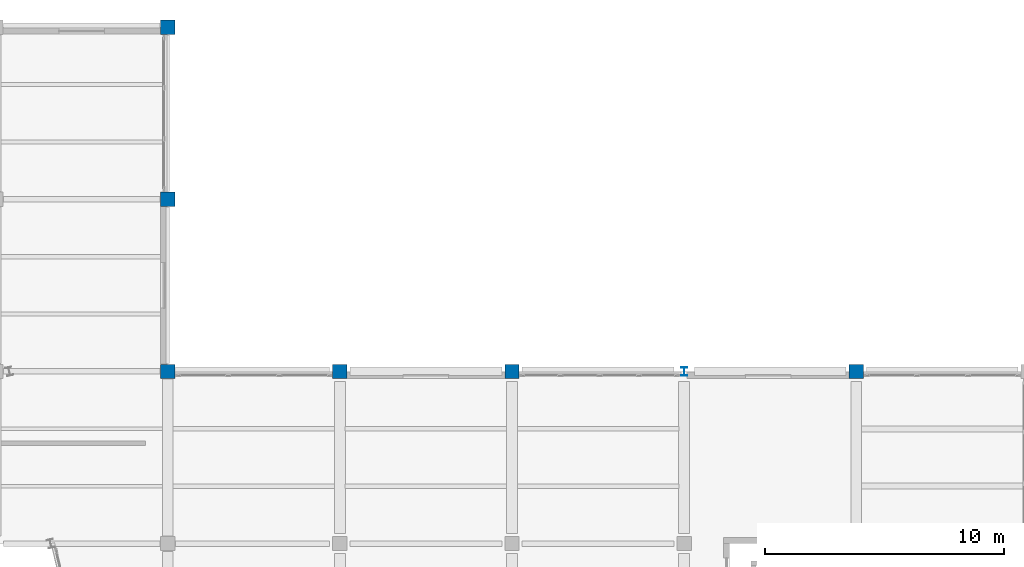
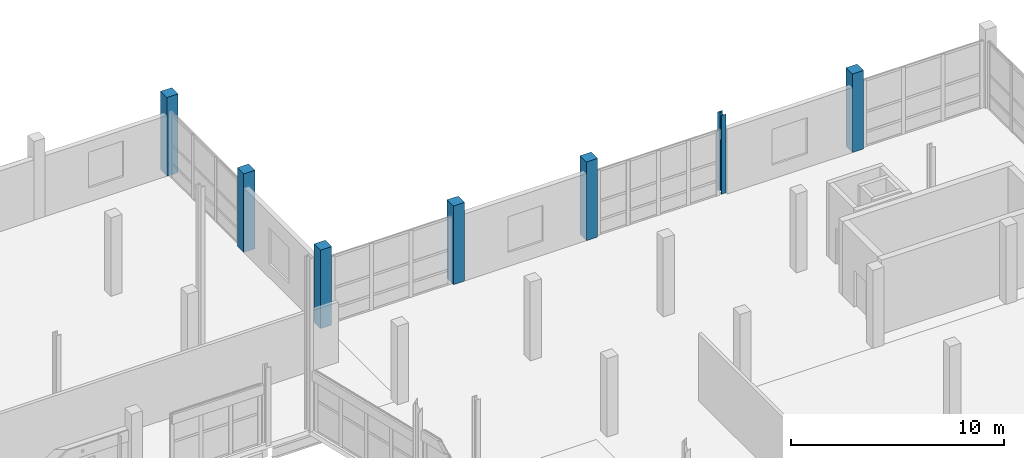
# One storey, part 24 of 123: 7 columns.
"""IFC4 building model written with IfcOpenShell, lengths in metres."""

from ifc_helpers import new_model, si_unit, direction, frame, origin, origin_2d, place, context, subcontext, project, spatial, rectangle, i_section, extrude, material, material_profile, profile_set, type_object, element, save


model = new_model("IFC4")

# Units and contexts
model_context = context("Model", 3, precision=1e-05, world=origin(), true_north=direction((0.0, 1.0)))
body_context = subcontext(model_context, "Body", "Model", "MODEL_VIEW")
ifc_project = project(units=[si_unit("LENGTHUNIT", "METRE"), si_unit("AREAUNIT", "SQUARE_METRE"), si_unit("VOLUMEUNIT", "CUBIC_METRE"), si_unit("PLANEANGLEUNIT", "RADIAN"), si_unit("MASSUNIT", "GRAM", prefix="KILO")], contexts=[model_context])

# Site, building, storey
site_placement = place(None, origin())
site = spatial("IfcSite", under=ifc_project, at=site_placement, CompositionType="ELEMENT")
building_placement = place(site_placement, origin())
building = spatial("IfcBuilding", under=site, at=building_placement, Name="Kalmorath City Hall", CompositionType="ELEMENT")
storey_placement = place(building_placement, frame((0.0, 0.0, 10.199951171875)))
storey = spatial("IfcBuildingStorey", under=building, at=storey_placement, Name="L02", CompositionType="ELEMENT", Elevation=10.199951171875)

# Columns
ifc_material_1 = material(Name="Concrete C50/60", Category="concrete")
ifc_material_profile_1 = material_profile(ifc_material_1, rectangle(XDim=0.60009765625, YDim=0.60009765625, at=origin_2d()), Name="RC-COL-600X600")
ifc_profile_set_1 = profile_set([ifc_material_profile_1], Name="Concrete C50/60")
column_type_1 = type_object("IfcColumnType", Name="Concrete column 600x600", PredefinedType="COLUMN", material=ifc_profile_set_1)
for number, where, z_axis, x_axis, name in (
    (1, (129.60009765625, 100.800048828125, 0.0), (0.0, 0.0, 1.0), (1.0, 0.0, 0.0), "L02 column C6 (19/15)"),
    (2, (129.60009765625, 108.0, 0.0), (0.0, 0.0, 1.0), (1.0, 0.0, 0.0), "L02 column C6 (19/16)"),
    (3, (129.60009765625, 115.199951171875, 0.0), (0.0, 0.0, 1.0), (1.0, 0.0, 0.0), "L02 column C6 (19/17)"),
    (4, (136.800048828125, 100.800048828125, 0.0), (0.0, 0.0, 1.0), (1.0, 0.0, 0.0), "L02 column C6 (20/15)"),
    (5, (144.0, 100.800048828125, 0.0), (0.0, 0.0, 1.0), (1.0, 0.0, 0.0), "L02 column C6 (21/15)"),
    (6, (158.39990234375, 100.800048828125, 0.0), (0.0, 0.0, 1.0), (1.0, 0.0, 0.0), "L02 column C6 (23/15)"),
):
    element("IfcColumn", number, at=place(storey_placement, frame(where, z_axis=z_axis, x_axis=x_axis)), inside=storey, type_object=column_type_1, Name=name, PredefinedType="COLUMN", context=body_context, shape_type="SweptSolid", body=[
        extrude(rectangle(XDim=0.60009765625, YDim=0.60009765625, at=origin_2d()), origin(), (0.0, 0.0, 1.0), 4.5),
    ])
ifc_material_2 = material(Name="Steel ASTM A992 Grade 50", Category="steel")
ifc_material_profile_2 = material_profile(ifc_material_2, i_section(OverallWidth=0.25390625, OverallDepth=0.35302734375, WebThickness=0.009521484375, FlangeThickness=0.016357421875, FilletRadius=0.014892578125, at=origin_2d()), Name="W14X61")
ifc_profile_set_2 = profile_set([ifc_material_profile_2], Name="Steel ASTM A992 Grade 50")
column_type_2 = type_object("IfcColumnType", Name="Steel wide-flange column W14X61", PredefinedType="COLUMN", material=ifc_profile_set_2)
column_placement = place(storey_placement, frame((151.199951171875, 100.800048828125, 0.0), z_axis=(0.0, 0.0, 1.0), x_axis=(1.0, 0.0, 0.0)))
element("IfcColumn", 7, at=column_placement, inside=storey, type_object=column_type_2, Name="L02 column SC1 (22/15)", PredefinedType="COLUMN", context=body_context, shape_type="SweptSolid", body=[
    extrude(i_section(OverallWidth=0.25390625, OverallDepth=0.35302734375, WebThickness=0.009521484375, FlangeThickness=0.016357421875, FilletRadius=0.014892578125, at=origin_2d()), origin(), (0.0, 0.0, 1.0), 4.5),
])

save(model, "model.ifc")
